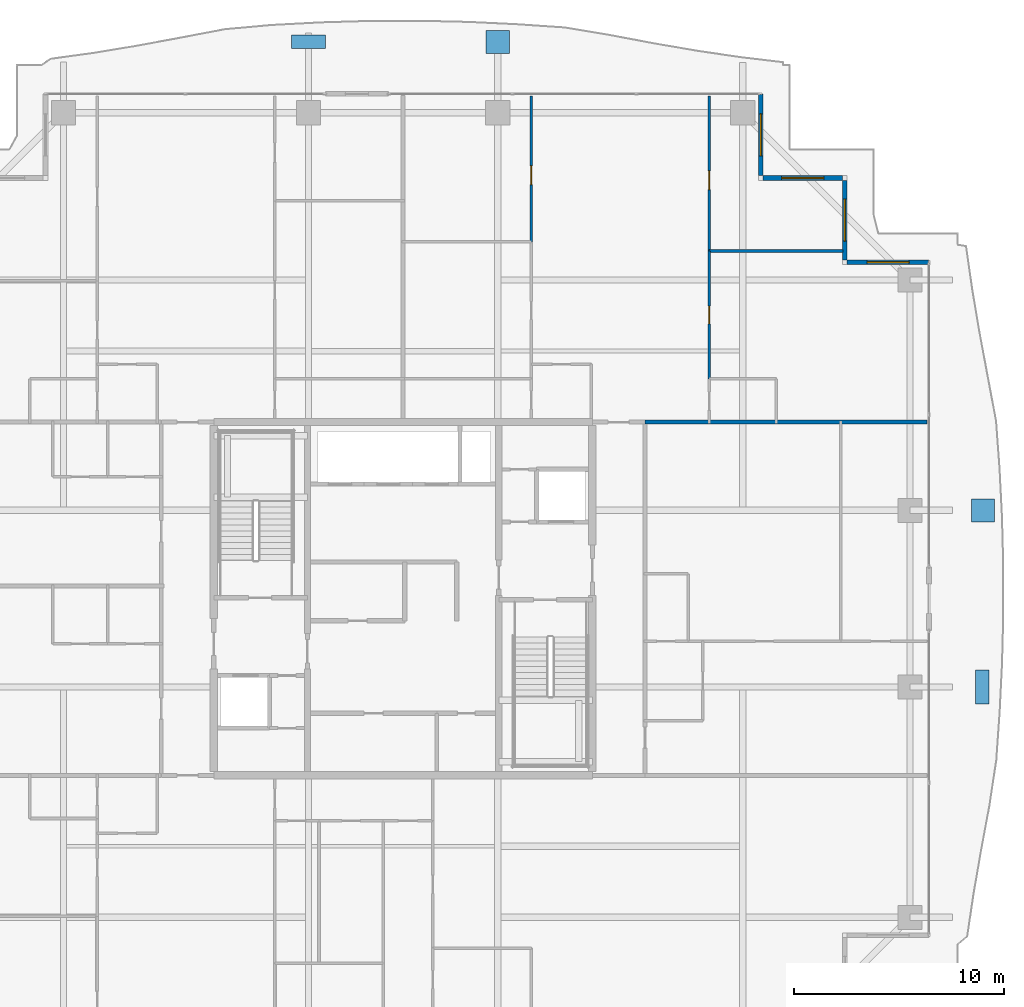
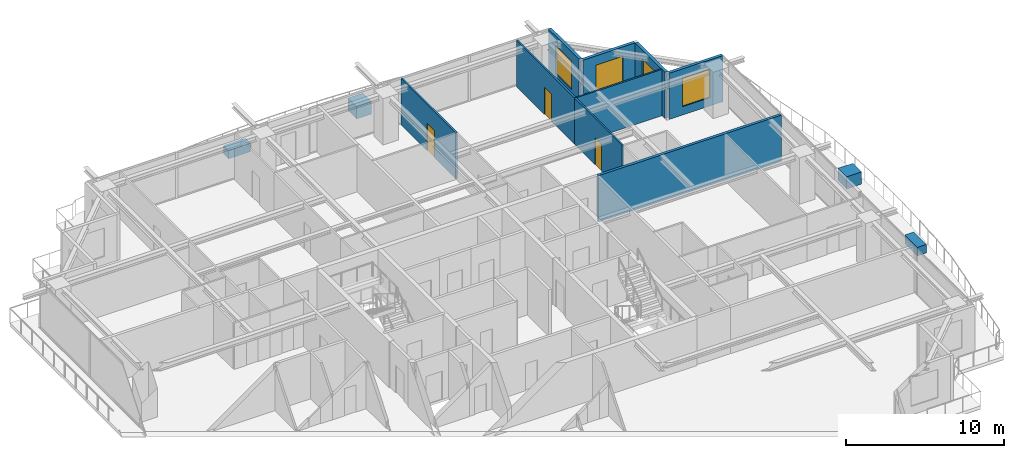
# One storey, part 30 of 37: 9 walls, 4 discrete accessories, 4 windows, 3 doors, 7 openings.
"""IFC4 building model written with IfcOpenShell, lengths in metres."""

import ifcopenshell
import ifcopenshell.guid

model = None  # the IFC model being written
_history = None  # IfcOwnerHistory: only IFC2X3 demands one
_inside = {}  # id of a spatial element -> (the spatial element, [elements in it])
_under = {}  # id of a project, library or spatial element -> (it, [spatial elements below it])
_declared = {}  # id of a project -> (the project, [libraries it declares])
_typed = {}  # id of a type object -> (the type object, [elements of that type])
_made_of = {}  # id of a material, layer set ... -> (it, [elements and type objects made of it])


def new_model(schema):
    """Start an empty IFC model of exactly this schema.

    Asked for "IFC4X3", IfcOpenShell would pick the latest addendum, in which some entities
    have other attributes; the version numbers below select the first issue.
    IFC2X3 requires an IfcOwnerHistory on every rooted entity: one is made here for all.
    """
    global model, _history
    if schema == "IFC4X3":
        model = ifcopenshell.file(schema_version=(4, 3, 0, 0))
    else:
        model = ifcopenshell.file(schema=schema)
    _inside.clear()
    _under.clear()
    _declared.clear()
    _typed.clear()
    _made_of.clear()
    _history = None
    if model.schema == "IFC2X3":
        org = make("IfcOrganization", Name="unknown")
        user = make(
            "IfcPersonAndOrganization",
            ThePerson=make("IfcPerson", FamilyName="unknown"),
            TheOrganization=org,
        )
        app = make(
            "IfcApplication",
            ApplicationDeveloper=org,
            Version="unknown",
            ApplicationFullName="unknown",
            ApplicationIdentifier="unknown",
        )
        _history = make(
            "IfcOwnerHistory",
            OwningUser=user,
            OwningApplication=app,
            ChangeAction="ADDED",
            CreationDate=0,
        )
    return model


def make(cls, **values):
    """One entity of the class cls with the attributes given. An attribute that is None is left unset."""
    return model.create_entity(
        cls, **{name: value for name, value in values.items() if value is not None}
    )


def rooted(cls, **values):
    """An entity with a GlobalId (a new one), such as an element, a storey or a relation."""
    return make(cls, GlobalId=ifcopenshell.guid.new(), OwnerHistory=_history, **values)


def si_unit(unit_type, name, prefix=None):
    """IfcSIUnit, for example si_unit("LENGTHUNIT", "METRE", prefix="MILLI")."""
    return make("IfcSIUnit", UnitType=unit_type, Prefix=prefix, Name=name)


def assignment(units):
    """IfcUnitAssignment: the units of a project."""
    return None if units is None else make("IfcUnitAssignment", Units=units)


def point(xyz):
    """IfcCartesianPoint."""
    return None if xyz is None else make("IfcCartesianPoint", Coordinates=xyz)


def direction(xyz):
    """IfcDirection."""
    return None if xyz is None else make("IfcDirection", DirectionRatios=xyz)


def frame(location, z_axis=None, x_axis=None):
    """IfcAxis2Placement3D, a coordinate frame: its origin and axes. An axis left out is left unset."""
    return make(
        "IfcAxis2Placement3D",
        Location=point(location),
        Axis=direction(z_axis),
        RefDirection=direction(x_axis),
    )


def frame_2d(location, x_axis=None):
    """IfcAxis2Placement2D, a coordinate frame in the plane: its origin and x axis."""
    return make(
        "IfcAxis2Placement2D", Location=point(location), RefDirection=direction(x_axis)
    )


def origin():
    """The frame at (0, 0, 0) with its axes left unset."""
    return frame((0.0, 0.0, 0.0))


def origin_2d():
    """The frame at (0, 0) in the plane with its x axis left unset."""
    return frame_2d((0.0, 0.0))


def place(relative_to, where):
    """IfcLocalPlacement: puts the frame where relative to a parent placement (None: the world)."""
    return make(
        "IfcLocalPlacement", PlacementRelTo=relative_to, RelativePlacement=where
    )


def context(
    kind, dimensions, precision=None, world=None, true_north=None, identifier=None
):
    """IfcGeometricRepresentationContext, for example the 3D "Model" context."""
    return make(
        "IfcGeometricRepresentationContext",
        ContextIdentifier=identifier,
        ContextType=kind,
        CoordinateSpaceDimension=dimensions,
        Precision=precision,
        WorldCoordinateSystem=world,
        TrueNorth=true_north,
    )


def subcontext(parent, identifier, kind, view, scale=None):
    """IfcGeometricRepresentationSubContext, for example "Body" below "Model"."""
    return make(
        "IfcGeometricRepresentationSubContext",
        ContextIdentifier=identifier,
        ContextType=kind,
        ParentContext=parent,
        TargetScale=scale,
        TargetView=view,
    )


def project(units=None, contexts=None):
    """IfcProject with its units and contexts."""
    return rooted(
        "IfcProject",
        Name="project",
        RepresentationContexts=contexts,
        UnitsInContext=assignment(units),
    )


def spatial(cls, under=None, at=None, **own):
    """A site, building, storey or space (cls), placed at a placement, below another one or the project."""
    s = rooted(cls, ObjectPlacement=at, **own)
    if under is not None:
        _under.setdefault(under.id(), (under, []))[1].append(s)
    return s


def profile(cls, at=None, kind="AREA", **sizes):
    """A parametric profile (cls). Its sizes go by their IFC names, for example OverallWidth=200.0."""
    return make(cls, ProfileType=kind, Position=at, **sizes)


def rectangle(**sizes):
    """IfcRectangleProfileDef."""
    return profile("IfcRectangleProfileDef", **sizes)


def extrude(swept, where, along, depth):
    """IfcExtrudedAreaSolid: the profile swept, set in the frame where, extruded along a direction by depth."""
    return make(
        "IfcExtrudedAreaSolid",
        SweptArea=swept,
        Position=where,
        ExtrudedDirection=direction(along),
        Depth=depth,
    )


def shape(context_of_items, identifier, shape_type, items):
    """IfcShapeRepresentation: the items that make up one representation, for example the "Body"."""
    return make(
        "IfcShapeRepresentation",
        ContextOfItems=context_of_items,
        RepresentationIdentifier=identifier,
        RepresentationType=shape_type,
        Items=items,
    )


def source(mapping_origin, context_of_items, identifier, shape_type, items):
    """IfcRepresentationMap: a shape defined once, which mapped items show again and again."""
    return make(
        "IfcRepresentationMap",
        MappingOrigin=mapping_origin,
        MappedRepresentation=shape(context_of_items, identifier, shape_type, items),
    )


def transform(
    local_origin,
    x_axis=None,
    y_axis=None,
    z_axis=None,
    scale=None,
    scale2=None,
    scale3=None,
    uniform=True,
):
    """IfcCartesianTransformationOperator3D, or its non-uniform kind. x_axis, y_axis, z_axis: its Axis1, 2, 3."""
    if uniform:
        return make(
            "IfcCartesianTransformationOperator3D",
            Axis1=direction(x_axis),
            Axis2=direction(y_axis),
            LocalOrigin=point(local_origin),
            Scale=scale,
            Axis3=direction(z_axis),
        )
    return make(
        "IfcCartesianTransformationOperator3DnonUniform",
        Axis1=direction(x_axis),
        Axis2=direction(y_axis),
        LocalOrigin=point(local_origin),
        Scale=scale,
        Axis3=direction(z_axis),
        Scale2=scale2,
        Scale3=scale3,
    )


def mapped(mapping_source, mapping_target):
    """IfcMappedItem: shows the shape of a source again, moved by a transform."""
    return make(
        "IfcMappedItem", MappingSource=mapping_source, MappingTarget=mapping_target
    )


def material(Name=None, Category=None):
    """IfcMaterial."""
    return make("IfcMaterial", Name=Name, Category=Category)


def layer(
    of_material, thickness, ventilated=None, Name=None, Category=None, Priority=None
):
    """IfcMaterialLayer: one layer of a wall or slab, of a material (None: an air gap)."""
    return make(
        "IfcMaterialLayer",
        Material=of_material,
        LayerThickness=thickness,
        IsVentilated=ventilated,
        Name=Name,
        Category=Category,
        Priority=Priority,
    )


def layer_set(layers, Name=None):
    """IfcMaterialLayerSet."""
    return make("IfcMaterialLayerSet", MaterialLayers=layers, LayerSetName=Name)


def made_of(thing, what):
    """Note that an element or type object is made of a material, layer set ...; save() writes the relation."""
    if what is not None:
        _made_of.setdefault(what.id(), (what, []))[1].append(thing)
    return thing


def type_object(cls, material=None, **own):
    """A type object (cls), such as IfcWallType, which elements share."""
    return made_of(rooted(cls, **own), material)


def element(
    cls,
    number,
    at=None,
    inside=None,
    cuts=None,
    type_object=None,
    material=None,
    context=None,
    identifier="Body",
    shape_type=None,
    held_by="IfcProductDefinitionShape",
    body=None,
    shapes=None,
    **own,
):
    """One element of the class cls, such as IfcWall. Its Tag is "e" and its number.

    at: its placement. inside: the storey or other place that contains it. cuts: it is an
    opening in that element (IfcRelVoidsElement). A single representation is given by context,
    identifier, shape_type and body (its items); several are given by shapes. held_by: the class
    of the entity that holds the representations. save() writes the other relations.
    """
    e = rooted(cls, Tag="e%d" % number, ObjectPlacement=at, **own)
    if body is not None:
        shapes = [shape(context, identifier, shape_type, body)]
    if shapes is not None:
        e.Representation = make(held_by, Representations=shapes)
    if inside is not None:
        _inside.setdefault(inside.id(), (inside, []))[1].append(e)
    if cuts is not None:
        rooted(
            "IfcRelVoidsElement", RelatingBuildingElement=cuts, RelatedOpeningElement=e
        )
    if type_object is not None:
        _typed.setdefault(type_object.id(), (type_object, []))[1].append(e)
    return made_of(e, material)


def fill(opening, filler):
    """IfcRelFillsElement: the door or window that sits in an opening."""
    return rooted(
        "IfcRelFillsElement",
        RelatingOpeningElement=opening,
        RelatedBuildingElement=filler,
    )


def aggregate(whole, parts):
    """IfcRelAggregates: a whole, such as a stair, and the parts it consists of."""
    return rooted("IfcRelAggregates", RelatingObject=whole, RelatedObjects=parts)


def save(model, path):
    """Write the relations noted so far, then the file.

    IfcRelAggregates (storeys below a building ...), IfcRelContainedInSpatialStructure (elements
    in a storey), IfcRelDefinesByType, IfcRelAssociatesMaterial and IfcRelDeclares: one each for
    every whole, place, type object, material and project.
    """
    for whole, parts in _under.values():
        aggregate(whole, parts)
    for where, things in _inside.values():
        rooted(
            "IfcRelContainedInSpatialStructure",
            RelatedElements=things,
            RelatingStructure=where,
        )
    for kind, things in _typed.values():
        rooted("IfcRelDefinesByType", RelatedObjects=things, RelatingType=kind)
    for what, things in _made_of.values():
        rooted("IfcRelAssociatesMaterial", RelatedObjects=things, RelatingMaterial=what)
    for by, libraries in _declared.values():
        rooted("IfcRelDeclares", RelatingContext=by, RelatedDefinitions=libraries)
    model.write(path)


model = new_model("IFC4")

# Units and contexts
model_context = context("Model", 3, precision=1e-05, world=origin(), true_north=direction((0.0, 1.0)))
body_context = subcontext(model_context, "Body", "Model", "MODEL_VIEW")
ifc_project = project(units=[si_unit("LENGTHUNIT", "METRE"), si_unit("AREAUNIT", "SQUARE_METRE"), si_unit("VOLUMEUNIT", "CUBIC_METRE"), si_unit("PLANEANGLEUNIT", "RADIAN"), si_unit("MASSUNIT", "GRAM", prefix="KILO")], contexts=[model_context])

# Site, building, storey
site_placement = place(None, origin())
site = spatial("IfcSite", under=ifc_project, at=site_placement, CompositionType="ELEMENT")
building_placement = place(site_placement, origin())
building = spatial("IfcBuilding", under=site, at=building_placement, Name="Serunith Strait Residences", CompositionType="ELEMENT")
storey_placement = place(building_placement, frame((0.0, 0.0, 233.550048828125)))
storey = spatial("IfcBuildingStorey", under=building, at=storey_placement, Name="L58", CompositionType="ELEMENT", Elevation=233.550048828125)

# Wall, opening, window
ifc_material_1 = material(Name="Pale-Champagne Aluminium Insulated Panel", Category="aluminium")
ifc_layer_1 = layer(ifc_material_1, 0.219970703125, Name="Pale-Champagne Aluminium Insulated Panel")
ifc_layer_set_1 = layer_set([ifc_layer_1], Name="Pale-Champagne Aluminium Insulated Panel")
wall_type_1 = type_object("IfcWallType", Name="EW-ALUM-220", PredefinedType="ELEMENTEDWALL", material=ifc_layer_set_1)
wall_1_placement = place(storey_placement, frame((57.39990234375, 41.199951171875, 0.0), z_axis=(0.0, 0.0, 1.0), x_axis=(-1.0, 0.0, 0.0)))
wall_1 = element("IfcWall", 1, at=wall_1_placement, inside=storey, type_object=wall_type_1, Name="L58 Girih Serrated Corner Wall 07", PredefinedType="ELEMENTEDWALL", context=body_context, shape_type="SweptSolid", body=[
    extrude(rectangle(XDim=3.889892578125, YDim=0.219970703125, at=frame_2d((1.94482421875, 0.0))), origin(), (0.0, 0.0, 1.0), 3.574951171875),
])
opening_1_placement = place(wall_1_placement, frame((0.945068359375, 0.0, 0.64990234375)))
opening_1 = element("IfcOpeningElement", 2, at=opening_1_placement, cuts=wall_1, Name="Opening W-04", PredefinedType="OPENING", context=body_context, shape_type="SweptSolid", body=[
    extrude(rectangle(XDim=2.0, YDim=2.199951171875, at=frame_2d((1.0, 1.10009765625))), frame((0.0, 0.1201171875, 0.0), z_axis=(0.0, -1.0, 0.0), x_axis=(1.0, 0.0, 0.0)), (0.0, 0.0, 1.0), 0.239990234375),
])
ifc_material_2 = material(Name="Ceramic-Fritted Operable Aluminium Window Glass", Category="aluminium")
window_type = type_object("IfcWindowType", Name="WIN-C4", PartitioningType="TRIPLE_PANEL_VERTICAL", PredefinedType="WINDOW", material=ifc_material_2)
shared_shape_1 = source(origin(), body_context, "Body", "SweptSolid", [
    extrude(rectangle(XDim=2.0, YDim=2.199951171875, at=frame_2d((1.0, 1.10009765625))), frame((0.0, 0.030029296875, 0.0), z_axis=(0.0, -1.0, 0.0), x_axis=(1.0, 0.0, 0.0)), (0.0, 0.0, 1.0), 0.06005859375),
])
window_1_placement = place(opening_1_placement, origin())
window_1 = element("IfcWindow", 3, at=window_1_placement, inside=storey, type_object=window_type, Name="L58 Corner Operable Fritted Window 07", OverallHeight=2.199951171875, OverallWidth=2.0, PartitioningType="SINGLE_PANEL", PredefinedType="WINDOW", context=body_context, shape_type="MappedRepresentation", body=[
    mapped(shared_shape_1, transform((0.0, 0.0, 0.0), scale=1.0)),
])
fill(opening_1, window_1)

wall_2_placement = place(storey_placement, frame((53.39990234375, 41.31005859375, 0.0), z_axis=(0.0, 0.0, 1.0), x_axis=(0.0, 1.0, 0.0)))
wall_2 = element("IfcWall", 4, at=wall_2_placement, inside=storey, type_object=wall_type_1, Name="L58 Girih Serrated Corner Wall 08", PredefinedType="ELEMENTEDWALL", context=body_context, shape_type="SweptSolid", body=[
    extrude(rectangle(XDim=3.780029296875, YDim=0.219970703125, at=frame_2d((1.89013671875, 0.0))), origin(), (0.0, 0.0, 1.0), 3.574951171875),
])
opening_2_placement = place(wall_2_placement, frame((0.889892578125, 0.0, 0.64990234375)))
opening_2 = element("IfcOpeningElement", 5, at=opening_2_placement, cuts=wall_2, Name="Opening W-04", PredefinedType="OPENING", context=body_context, shape_type="SweptSolid", body=[
    extrude(rectangle(XDim=2.0, YDim=2.199951171875, at=frame_2d((1.0, 1.10009765625))), frame((0.0, 0.1201171875, 0.0), z_axis=(0.0, -1.0, 0.0), x_axis=(1.0, 0.0, 0.0)), (0.0, 0.0, 1.0), 0.239990234375),
])
window_2_placement = place(opening_2_placement, origin())
window_2 = element("IfcWindow", 6, at=window_2_placement, inside=storey, type_object=window_type, Name="L58 Corner Operable Fritted Window 08", OverallHeight=2.199951171875, OverallWidth=2.0, PartitioningType="SINGLE_PANEL", PredefinedType="WINDOW", context=body_context, shape_type="MappedRepresentation", body=[
    mapped(shared_shape_1, transform((0.0, 0.0, 0.0), scale=1.0)),
])
fill(opening_2, window_2)

wall_3_placement = place(storey_placement, frame((53.2900390625, 45.199951171875, 0.0), z_axis=(0.0, 0.0, 1.0), x_axis=(-1.0, 0.0, 0.0)))
wall_3 = element("IfcWall", 7, at=wall_3_placement, inside=storey, type_object=wall_type_1, Name="L58 Girih Serrated Corner Wall 09", PredefinedType="ELEMENTEDWALL", context=body_context, shape_type="SweptSolid", body=[
    extrude(rectangle(XDim=3.780029296875, YDim=0.219970703125, at=frame_2d((1.89013671875, 0.0))), origin(), (0.0, 0.0, 1.0), 3.574951171875),
])
opening_3_placement = place(wall_3_placement, frame((0.889892578125, 0.0, 0.64990234375)))
opening_3 = element("IfcOpeningElement", 8, at=opening_3_placement, cuts=wall_3, Name="Opening W-04", PredefinedType="OPENING", context=body_context, shape_type="SweptSolid", body=[
    extrude(rectangle(XDim=2.0, YDim=2.199951171875, at=frame_2d((1.0, 1.10009765625))), frame((0.0, 0.1201171875, 0.0), z_axis=(0.0, -1.0, 0.0), x_axis=(1.0, 0.0, 0.0)), (0.0, 0.0, 1.0), 0.239990234375),
])
window_3_placement = place(opening_3_placement, origin())
window_3 = element("IfcWindow", 9, at=window_3_placement, inside=storey, type_object=window_type, Name="L58 Corner Operable Fritted Window 09", OverallHeight=2.199951171875, OverallWidth=2.0, PartitioningType="SINGLE_PANEL", PredefinedType="WINDOW", context=body_context, shape_type="MappedRepresentation", body=[
    mapped(shared_shape_1, transform((0.0, 0.0, 0.0), scale=1.0)),
])
fill(opening_3, window_3)

wall_4_placement = place(storey_placement, frame((49.39990234375, 45.31005859375, 0.0), z_axis=(0.0, 0.0, 1.0), x_axis=(0.0, 1.0, 0.0)))
wall_4 = element("IfcWall", 10, at=wall_4_placement, inside=storey, type_object=wall_type_1, Name="L58 Girih Serrated Corner Wall 10", PredefinedType="ELEMENTEDWALL", context=body_context, shape_type="SweptSolid", body=[
    extrude(rectangle(XDim=3.889892578125, YDim=0.219970703125, at=frame_2d((1.94482421875, 0.0))), origin(), (0.0, 0.0, 1.0), 3.574951171875),
])
opening_4_placement = place(wall_4_placement, frame((0.945068359375, 0.0, 0.64990234375)))
opening_4 = element("IfcOpeningElement", 11, at=opening_4_placement, cuts=wall_4, Name="Opening W-04", PredefinedType="OPENING", context=body_context, shape_type="SweptSolid", body=[
    extrude(rectangle(XDim=2.0, YDim=2.199951171875, at=frame_2d((1.0, 1.10009765625))), frame((0.0, 0.1201171875, 0.0), z_axis=(0.0, -1.0, 0.0), x_axis=(1.0, 0.0, 0.0)), (0.0, 0.0, 1.0), 0.239990234375),
])
window_4_placement = place(opening_4_placement, origin())
window_4 = element("IfcWindow", 12, at=window_4_placement, inside=storey, type_object=window_type, Name="L58 Corner Operable Fritted Window 10", OverallHeight=2.199951171875, OverallWidth=2.0, PartitioningType="SINGLE_PANEL", PredefinedType="WINDOW", context=body_context, shape_type="MappedRepresentation", body=[
    mapped(shared_shape_1, transform((0.0, 0.0, 0.0), scale=1.0)),
])
fill(opening_4, window_4)

# Wall, opening, door
ifc_material_3 = material(Name="Lightweight steel-stud gypsum partition", Category="steel")
ifc_layer_2 = layer(ifc_material_3, 0.1201171875, Name="Lightweight steel-stud gypsum partition")
ifc_layer_set_2 = layer_set([ifc_layer_2], Name="Lightweight steel-stud gypsum partition")
wall_type_2 = type_object("IfcWallType", Name="IW-PART-120", PredefinedType="PARTITIONING", material=ifc_layer_set_2)
wall_5_placement = place(storey_placement, frame((38.5, 49.10498046875, 0.0), z_axis=(0.0, 0.0, 1.0), x_axis=(0.0, -1.0, 0.0)))
wall_5 = element("IfcWall", 13, at=wall_5_placement, inside=storey, type_object=wall_type_2, Name="L58 Partition Wall 070", PredefinedType="PARTITIONING", context=body_context, shape_type="SweptSolid", body=[
    extrude(rectangle(XDim=6.94287109375, YDim=0.1201171875, at=frame_2d((3.471435546875, 0.0))), origin(), (0.0, 0.0, 1.0), 3.58984375),
])
opening_5_placement = place(wall_5_placement, frame((3.323974609375, 0.0, 0.0)))
opening_5 = element("IfcOpeningElement", 14, at=opening_5_placement, cuts=wall_5, Name="Opening D-RM900", PredefinedType="OPENING", context=body_context, shape_type="SweptSolid", body=[
    extrude(rectangle(XDim=0.89990234375, YDim=2.10009765625, at=frame_2d((0.449951171875, 1.050048828125))), frame((0.0, 0.070068359375, 0.0), z_axis=(0.0, -1.0, 0.0), x_axis=(1.0, 0.0, 0.0)), (0.0, 0.0, 1.0), 0.14013671875),
])
ifc_material_4 = material(Name="Engineered timber flush bedroom door", Category="wood")
door_type_1 = type_object("IfcDoorType", Name="ID-ROOM-900", OperationType="NOTDEFINED", PredefinedType="DOOR", material=ifc_material_4)
shared_shape_2 = source(origin(), body_context, "Body", "SweptSolid", [
    extrude(rectangle(XDim=0.89990234375, YDim=2.10009765625, at=frame_2d((0.449951171875, 1.050048828125))), frame((0.0, 0.02490234375, 0.0), z_axis=(0.0, -1.0, 0.0), x_axis=(1.0, 0.0, 0.0)), (0.0, 0.0, 1.0), 0.050048828125),
])
door_1_placement = place(opening_5_placement, origin())
door_1 = element("IfcDoor", 15, at=door_1_placement, inside=storey, type_object=door_type_1, Name="L58 Master Bedroom 1 5803 Door", OperationType="SINGLE_SWING_LEFT", OverallHeight=2.10009765625, OverallWidth=0.89990234375, PredefinedType="DOOR", context=body_context, shape_type="MappedRepresentation", body=[
    mapped(shared_shape_2, transform((0.0, 0.0, 0.0), scale=1.0)),
])
fill(opening_5, door_1)

wall_6_placement = place(storey_placement, frame((46.949951171875, 49.10498046875, 0.0), z_axis=(0.0, 0.0, 1.0), x_axis=(0.0, -1.0, 0.0)))
wall_6 = element("IfcWall", 16, at=wall_6_placement, inside=storey, type_object=wall_type_2, Name="L58 Partition Wall 075", PredefinedType="PARTITIONING", context=body_context, shape_type="SweptSolid", body=[
    extrude(rectangle(XDim=7.373046875, YDim=0.1201171875, at=frame_2d((3.6865234375, 0.0))), origin(), (0.0, 0.0, 1.0), 3.58984375),
])
opening_6_placement = place(wall_6_placement, frame((3.56005859375, 0.0, 0.0)))
opening_6 = element("IfcOpeningElement", 17, at=opening_6_placement, cuts=wall_6, Name="Opening D-RM900", PredefinedType="OPENING", context=body_context, shape_type="SweptSolid", body=[
    extrude(rectangle(XDim=0.89990234375, YDim=2.10009765625, at=frame_2d((0.449951171875, 1.050048828125))), frame((0.0, 0.070068359375, 0.0), z_axis=(0.0, -1.0, 0.0), x_axis=(1.0, 0.0, 0.0)), (0.0, 0.0, 1.0), 0.14013671875),
])
door_2_placement = place(opening_6_placement, origin())
door_2 = element("IfcDoor", 18, at=door_2_placement, inside=storey, type_object=door_type_1, Name="L58 Bedroom 2 5803 Door", OperationType="SINGLE_SWING_RIGHT", OverallHeight=2.10009765625, OverallWidth=0.89990234375, PredefinedType="DOOR", context=body_context, shape_type="MappedRepresentation", body=[
    mapped(shared_shape_2, transform((0.0, 0.0, 0.0), scale=1.0)),
])
fill(opening_6, door_2)

# Wall
wall_7_placement = place(storey_placement, frame((46.949951171875, 41.73193359375, 0.0), z_axis=(0.0, 0.0, 1.0), x_axis=(1.0, 0.0, 0.0)))
element("IfcWall", 19, at=wall_7_placement, inside=storey, type_object=wall_type_2, Name="L58 Partition Wall 076", PredefinedType="PARTITIONING", context=body_context, shape_type="SweptSolid", body=[
    extrude(rectangle(XDim=6.35498046875, YDim=0.1201171875, at=frame_2d((3.177490234375, 0.0))), origin(), (0.0, 0.0, 1.0), 3.58984375),
])

# Wall, opening, door
wall_8_placement = place(storey_placement, frame((46.949951171875, 41.72998046875, 0.0), z_axis=(0.0, 0.0, 1.0), x_axis=(0.0, -1.0, 0.0)))
wall_8 = element("IfcWall", 20, at=wall_8_placement, inside=storey, type_object=wall_type_2, Name="L58 Partition Wall 079", PredefinedType="PARTITIONING", context=body_context, shape_type="SweptSolid", body=[
    extrude(rectangle(XDim=6.080078125, YDim=0.1201171875, at=frame_2d((3.0400390625, 0.0))), origin(), (0.0, 0.0, 1.0), 3.58984375),
])
opening_7_placement = place(wall_8_placement, frame((2.614990234375, 0.0, 0.0)))
opening_7 = element("IfcOpeningElement", 21, at=opening_7_placement, cuts=wall_8, Name="Opening D-RM850", PredefinedType="OPENING", context=body_context, shape_type="SweptSolid", body=[
    extrude(rectangle(XDim=0.85009765625, YDim=2.10009765625, at=frame_2d((0.425048828125, 1.050048828125))), frame((0.0, 0.070068359375, 0.0), z_axis=(0.0, -1.0, 0.0), x_axis=(1.0, 0.0, 0.0)), (0.0, 0.0, 1.0), 0.14013671875),
])
ifc_material_5 = material(Name="Engineered timber flush study and kitchen door", Category="wood")
door_type_2 = type_object("IfcDoorType", Name="ID-ROOM-850", OperationType="NOTDEFINED", PredefinedType="DOOR", material=ifc_material_5)
shared_shape_3 = source(origin(), body_context, "Body", "SweptSolid", [
    extrude(rectangle(XDim=0.85009765625, YDim=2.10009765625, at=frame_2d((0.425048828125, 1.050048828125))), frame((0.0, 0.02490234375, 0.0), z_axis=(0.0, -1.0, 0.0), x_axis=(1.0, 0.0, 0.0)), (0.0, 0.0, 1.0), 0.050048828125),
])
door_3_placement = place(opening_7_placement, origin())
door_3 = element("IfcDoor", 22, at=door_3_placement, inside=storey, type_object=door_type_2, Name="L58 Walk-in Wardrobe 5803 Door", OperationType="SINGLE_SWING_LEFT", OverallHeight=2.10009765625, OverallWidth=0.85009765625, PredefinedType="DOOR", context=body_context, shape_type="MappedRepresentation", body=[
    mapped(shared_shape_3, transform((0.0, 0.0, 0.0), scale=1.0)),
])
fill(opening_7, door_3)

# Wall
ifc_material_6 = material(Name="Twin-stud acoustic gypsum board partition")
ifc_layer_3 = layer(ifc_material_6, 0.199951171875, Name="Twin-stud acoustic gypsum board partition")
ifc_layer_set_3 = layer_set([ifc_layer_3], Name="Twin-stud acoustic gypsum board partition")
wall_type_3 = type_object("IfcWallType", Name="IW-PARTY-200", PredefinedType="PARTITIONING", material=ifc_layer_set_3)
wall_9_placement = place(storey_placement, frame((43.89990234375, 33.60009765625, 0.0), z_axis=(0.0, 0.0, 1.0), x_axis=(1.0, 0.0, 0.0)))
element("IfcWall", 23, at=wall_9_placement, inside=storey, type_object=wall_type_3, Name="L58 Partition Wall 025", PredefinedType="PARTITIONING", context=body_context, shape_type="SweptSolid", body=[
    extrude(rectangle(XDim=13.418212890625, YDim=0.199951171875, at=frame_2d((6.708984375, 0.0))), origin(), (0.0, 0.0, 1.0), 3.58984375),
])

# Discrete accessories
ifc_material_7 = material(Name="GFRC Root-Anchored Structural Planter")
discrete_accessory_type_1 = type_object("IfcDiscreteAccessoryType", Name="ACC-PLANTER-TREE", PredefinedType="USERDEFINED", material=ifc_material_7)
shared_shape_4 = source(origin(), body_context, "Body", "SweptSolid", [
    extrude(rectangle(XDim=1.10009765625, YDim=1.10009765625, at=origin_2d()), origin(), (0.0, 0.0, 1.0), 0.949951171875),
])
for number, where, z_axis, x_axis, name in (
    (24, (36.89990234375, 51.66943359375, -0.0498046875), (0.0, 0.0, 1.0), (-1.0, 0.0, 0.0), "L58 Vertical-Forest Tree Planter 07"),
    (25, (59.966064453125, 29.39990234375, -0.0498046875), (0.0, 0.0, 1.0), (0.0, 1.0, 0.0), "L58 Vertical-Forest Tree Planter 11"),
):
    element("IfcDiscreteAccessory", number, at=place(storey_placement, frame(where, z_axis=z_axis, x_axis=x_axis)), inside=storey, type_object=discrete_accessory_type_1, Name=name, ObjectType="PLANTER", PredefinedType="USERDEFINED", context=body_context, shape_type="MappedRepresentation", body=[
        mapped(shared_shape_4, transform((0.0, 0.0, 0.0), scale=1.0)),
    ])
ifc_material_8 = material(Name="GFRC Irrigated Shrub Trough Planter")
discrete_accessory_type_2 = type_object("IfcDiscreteAccessoryType", Name="ACC-PLANTER-SHRUB", PredefinedType="USERDEFINED", material=ifc_material_8)
shared_shape_5 = source(origin(), body_context, "Body", "SweptSolid", [
    extrude(rectangle(XDim=1.60009765625, YDim=0.64990234375, at=origin_2d()), origin(), (0.0, 0.0, 1.0), 0.64990234375),
])
for number, where, z_axis, x_axis, name in (
    (26, (27.89990234375, 51.68359375, -0.050048828125), (0.0, 0.0, 1.0), (-1.0, 0.0, 0.0), "L58 Vertical-Forest Shrub Planter 06"),
    (27, (59.92822265625, 21.0, -0.050048828125), (0.0, 0.0, 1.0), (0.0, 1.0, 0.0), "L58 Vertical-Forest Shrub Planter 10"),
):
    element("IfcDiscreteAccessory", number, at=place(storey_placement, frame(where, z_axis=z_axis, x_axis=x_axis)), inside=storey, type_object=discrete_accessory_type_2, Name=name, ObjectType="PLANTER", PredefinedType="USERDEFINED", context=body_context, shape_type="MappedRepresentation", body=[
        mapped(shared_shape_5, transform((0.0, 0.0, 0.0), scale=1.0)),
    ])

save(model, "model.ifc")
